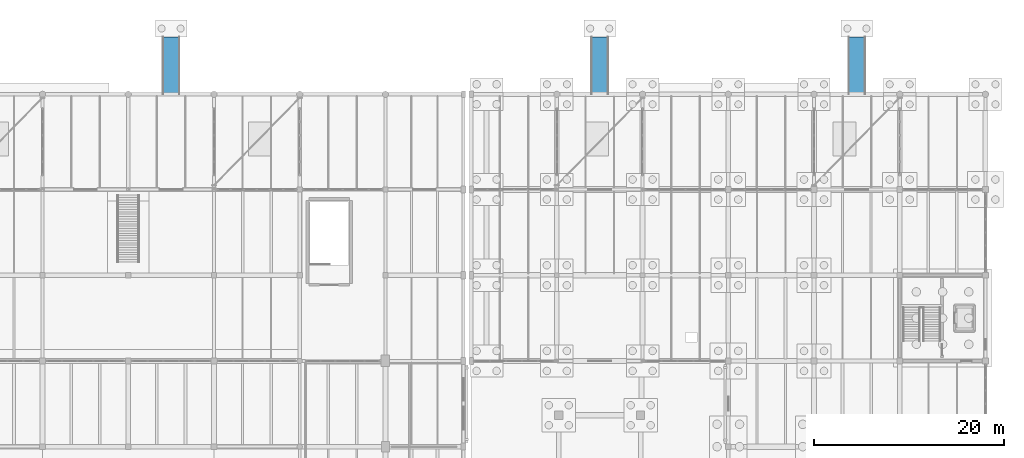
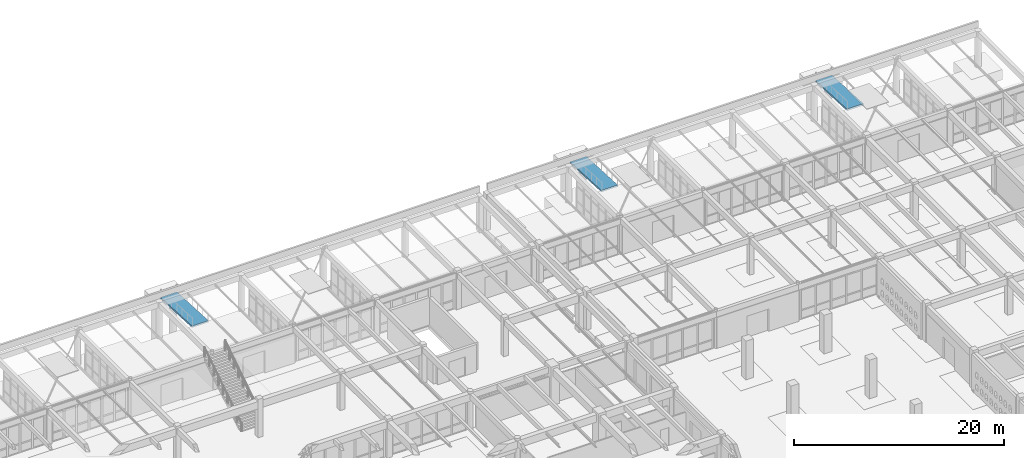
# One storey, part 172 of 186: 3 ramp flights, 3 elements without a shape of their own.
"""IFC4 building model written with IfcOpenShell, lengths in metres."""

from ifc_helpers import new_model, si_unit, direction, frame, origin, place, context, subcontext, project, spatial, polyline, outline, extrude, material, type_object, element, aggregate, save


model = new_model("IFC4")

# Units and contexts
model_context = context("Model", 3, precision=1e-05, world=origin(), true_north=direction((0.0, 1.0)))
body_context = subcontext(model_context, "Body", "Model", "MODEL_VIEW")
ifc_project = project(units=[si_unit("LENGTHUNIT", "METRE"), si_unit("AREAUNIT", "SQUARE_METRE"), si_unit("VOLUMEUNIT", "CUBIC_METRE"), si_unit("PLANEANGLEUNIT", "RADIAN"), si_unit("MASSUNIT", "GRAM", prefix="KILO")], contexts=[model_context])

# Site, building, storey
site_placement = place(None, origin())
site = spatial("IfcSite", under=ifc_project, at=site_placement, CompositionType="ELEMENT")
building_placement = place(site_placement, origin())
building = spatial("IfcBuilding", under=site, at=building_placement, Name="Ornek Quay Market", CompositionType="ELEMENT")
storey_placement = place(building_placement, origin())
storey = spatial("IfcBuildingStorey", under=building, at=storey_placement, Name="L00", CompositionType="ELEMENT", Elevation=0.0)

# Ramp, ramp flight
ifc_material = material(Name="Precast concrete C40/50", Category="concrete")
ramp_type = type_object("IfcRampType", Name="RMP-PED-QUAY-1800", PredefinedType="STRAIGHT_RUN_RAMP", material=ifc_material)
ramp_1_placement = place(storey_placement, origin())
ramp_1 = element("IfcRamp", 1, at=ramp_1_placement, inside=storey, type_object=ramp_type, Name="Quay accessible approach ramp RP-03", PredefinedType="STRAIGHT_RUN_RAMP")
ramp_flight_type = type_object("IfcRampFlightType", Name="RMPF-PED-1800", PredefinedType="STRAIGHT", material=ifc_material)
ramp_flight_1_placement = place(storey_placement, frame((94.5, 126.0, -0.300048828125), z_axis=(0.0, 0.0, 1.0), x_axis=(0.0, -1.0, 0.0)))
ramp_flight_1 = element("IfcRampFlight", 2, at=ramp_flight_1_placement, type_object=ramp_flight_type, Name="Quay accessible ramp flight RP-03.1", PredefinedType="STRAIGHT", context=body_context, shape_type="SweptSolid", body=[
    extrude(outline(polyline([(0.0, 0.0), (6.0, 0.300048828125), (6.0, 0.10009765625), (0.0, -0.199951171875), (0.0, 0.0)])), frame((0.0, 0.89990234375, 0.0), z_axis=(0.0, -1.0, 0.0), x_axis=(1.0, 0.0, 0.0)), (0.0, 0.0, 1.0), 1.800048828125),
])
aggregate(ramp_1, [ramp_flight_1])

ramp_2_placement = place(storey_placement, origin())
ramp_2 = element("IfcRamp", 3, at=ramp_2_placement, inside=storey, type_object=ramp_type, Name="Quay accessible approach ramp RP-04", PredefinedType="STRAIGHT_RUN_RAMP")
ramp_flight_2_placement = place(storey_placement, frame((139.5, 126.0, -0.300048828125), z_axis=(0.0, 0.0, 1.0), x_axis=(0.0, -1.0, 0.0)))
ramp_flight_2 = element("IfcRampFlight", 4, at=ramp_flight_2_placement, type_object=ramp_flight_type, Name="Quay accessible ramp flight RP-04.1", PredefinedType="STRAIGHT", context=body_context, shape_type="SweptSolid", body=[
    extrude(outline(polyline([(0.0, 0.0), (6.0, 0.300048828125), (6.0, 0.10009765625), (0.0, -0.199951171875), (0.0, 0.0)])), frame((0.0, 0.89990234375, 0.0), z_axis=(0.0, -1.0, 0.0), x_axis=(1.0, 0.0, 0.0)), (0.0, 0.0, 1.0), 1.800048828125),
])
aggregate(ramp_2, [ramp_flight_2])

ramp_3_placement = place(storey_placement, origin())
ramp_3 = element("IfcRamp", 5, at=ramp_3_placement, inside=storey, type_object=ramp_type, Name="Quay accessible approach ramp RP-05", PredefinedType="STRAIGHT_RUN_RAMP")
ramp_flight_3_placement = place(storey_placement, frame((166.5, 126.0, -0.300048828125), z_axis=(0.0, 0.0, 1.0), x_axis=(0.0, -1.0, 0.0)))
ramp_flight_3 = element("IfcRampFlight", 6, at=ramp_flight_3_placement, type_object=ramp_flight_type, Name="Quay accessible ramp flight RP-05.1", PredefinedType="STRAIGHT", context=body_context, shape_type="SweptSolid", body=[
    extrude(outline(polyline([(0.0, 0.0), (6.0, 0.300048828125), (6.0, 0.10009765625), (0.0, -0.199951171875), (0.0, 0.0)])), frame((0.0, 0.89990234375, 0.0), z_axis=(0.0, -1.0, 0.0), x_axis=(1.0, 0.0, 0.0)), (0.0, 0.0, 1.0), 1.800048828125),
])
aggregate(ramp_3, [ramp_flight_3])

save(model, "model.ifc")
